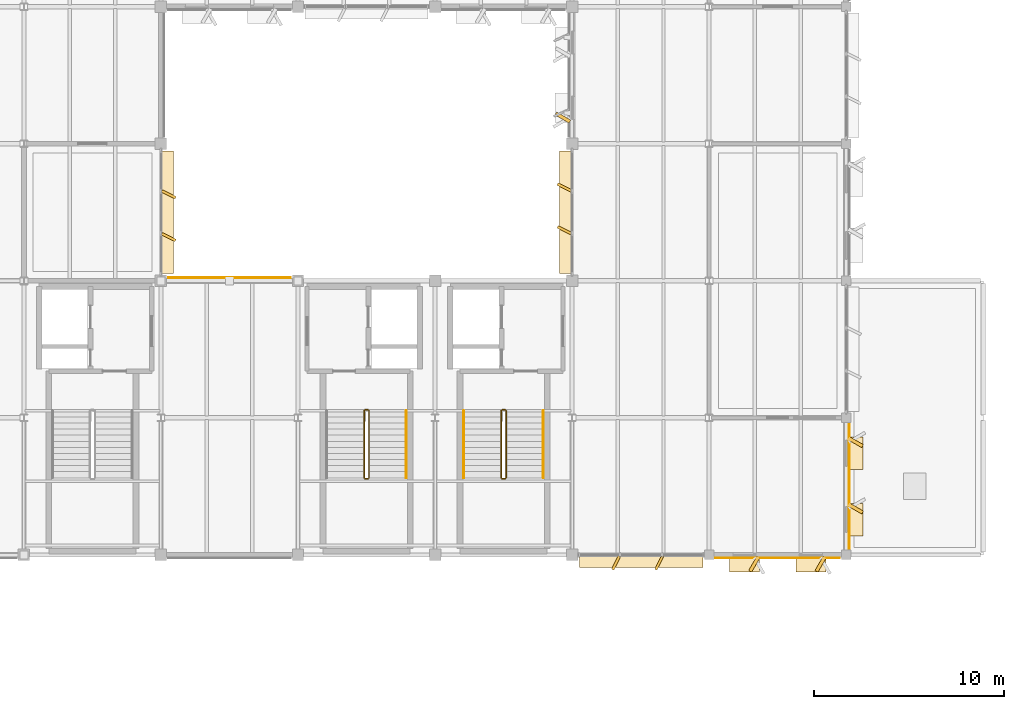
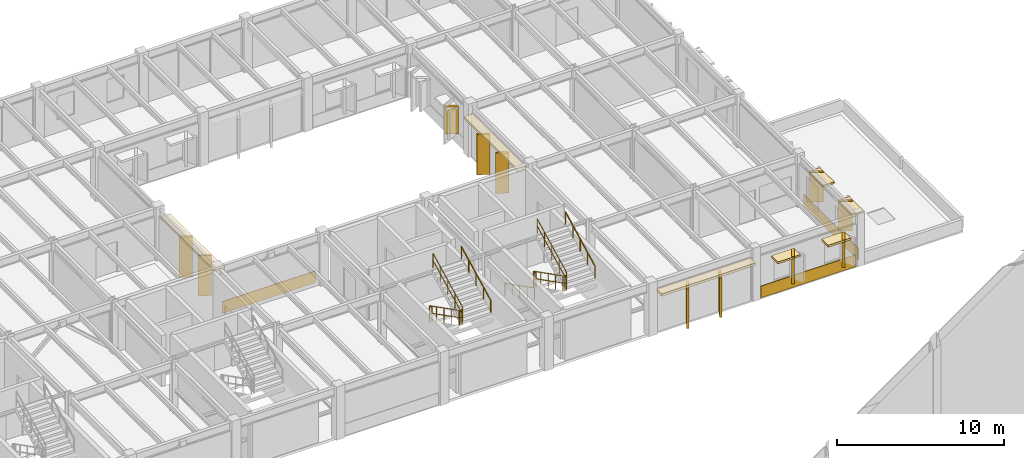
# One storey, part 80 of 82: 21 coverings, 11 railings.
"""IFC4 building model written with IfcOpenShell, lengths in metres."""

from ifc_helpers import new_model, si_unit, direction, frame, frame_2d, origin, origin_2d, place, context, subcontext, project, spatial, rectangle, circle, extrude, material, layer, layer_set, type_object, element, save


model = new_model("IFC4")

# Units and contexts
model_context = context("Model", 3, precision=1e-05, world=origin(), true_north=direction((0.0, 1.0)))
body_context = subcontext(model_context, "Body", "Model", "MODEL_VIEW")
ifc_project = project(units=[si_unit("LENGTHUNIT", "METRE"), si_unit("AREAUNIT", "SQUARE_METRE"), si_unit("VOLUMEUNIT", "CUBIC_METRE"), si_unit("PLANEANGLEUNIT", "RADIAN"), si_unit("MASSUNIT", "GRAM", prefix="KILO")], contexts=[model_context])

# Site, building, storey
site_placement = place(None, origin())
site = spatial("IfcSite", under=ifc_project, at=site_placement, CompositionType="ELEMENT")
building_placement = place(site_placement, origin())
building = spatial("IfcBuilding", under=site, at=building_placement, Name="Sillqori Civic Hall", CompositionType="ELEMENT")
storey_placement = place(building_placement, frame((0.0, 0.0, 14.10009765625)))
storey = spatial("IfcBuildingStorey", under=building, at=storey_placement, Name="L04", CompositionType="ELEMENT", Elevation=14.10009765625)

# Coverings
ifc_material_1 = material(Name="Cochabamba Honed Limestone Cladding", Category="masonry")
ifc_layer_1 = layer(ifc_material_1, 0.044921875)
ifc_layer_set_1 = layer_set([ifc_layer_1], Name="Cochabamba Honed Limestone Cladding")
covering_type = type_object("IfcCoveringType", Name="COV-CLAD-LIME", PredefinedType="CLADDING", material=ifc_layer_set_1)
covering_1_placement = place(storey_placement, frame((72.320068359375, 100.419921875, 3.011962890625), z_axis=(0.0, 0.0, 1.0), x_axis=(0.0, -1.0, 0.0)))
element("IfcCovering", 1, at=covering_1_placement, inside=storey, type_object=covering_type, Name="L04 curtain-wall limestone solar hood L04-09-13-E", PredefinedType="CLADDING", context=body_context, shape_type="SweptSolid", body=[
    extrude(rectangle(XDim=6.43994140625, YDim=0.679931640625, at=frame_2d((3.219970703125, 0.0))), origin(), (0.0, 0.0, 1.0), 0.179931640625),
])
for number, where, z_axis, x_axis, name in (
    (2, (72.050048828125, 98.322021484375, 0.059814453125), (0.0, 0.0, 1.0), (0.894366527193, -0.447334902547, 0.0), "L04 curtain-wall angled stone fin L04-09-13-E.1"),
    (3, (72.050048828125, 96.077880859375, 0.059814453125), (0.0, 0.0, 1.0), (0.894487846579, -0.44709226377, 0.0), "L04 curtain-wall angled stone fin L04-09-13-E.2"),
):
    element("IfcCovering", number, at=place(storey_placement, frame(where, z_axis=z_axis, x_axis=x_axis)), inside=storey, type_object=covering_type, Name=name, PredefinedType="CLADDING", context=body_context, shape_type="SweptSolid", body=[
        extrude(rectangle(XDim=0.804931640625, YDim=0.139892578125, at=frame_2d((0.40234375, 0.0))), origin(), (0.0, 0.0, 1.0), 2.9521484375),
    ])
covering_2_placement = place(storey_placement, frame((72.3798828125, 93.760009765625, 0.039794921875), z_axis=(0.0, 0.0, 1.0), x_axis=(1.0, 0.0, 0.0)))
element("IfcCovering", 4, at=covering_2_placement, inside=storey, type_object=covering_type, Name="L04 limestone spandrel cladding L04-10-12-N", PredefinedType="CLADDING", context=body_context, shape_type="SweptSolid", body=[
    extrude(rectangle(XDim=6.440185546875, YDim=0.044921875, at=frame_2d((3.22021484375, 0.0))), origin(), (0.0, 0.0, 1.0), 0.860107421875),
])
covering_3_placement = place(storey_placement, frame((100.469970703125, 78.8798828125, 2.93798828125), z_axis=(0.0, 0.0, 1.0), x_axis=(-1.0, 0.0, 0.0)))
element("IfcCovering", 5, at=covering_3_placement, inside=storey, type_object=covering_type, Name="L04 curtain-wall limestone solar hood L04-13-11-S", PredefinedType="CLADDING", context=body_context, shape_type="SweptSolid", body=[
    extrude(rectangle(XDim=6.489990234375, YDim=0.679931640625, at=frame_2d((3.2451171875, 0.0))), origin(), (0.0, 0.0, 1.0), 0.179931640625),
])
for number, where, z_axis, x_axis, name in (
    (6, (98.35546875, 79.14990234375, 0.059814453125), (0.0, 0.0, 1.0), (-0.44709226377, -0.894487846579, 0.0), "L04 curtain-wall angled stone fin L04-13-11-S.1"),
    (7, (96.094482421875, 79.14990234375, 0.059814453125), (0.0, 0.0, 1.0), (-0.44709226377, -0.894487846579, 0.0), "L04 curtain-wall angled stone fin L04-13-11-S.2"),
):
    element("IfcCovering", number, at=place(storey_placement, frame(where, z_axis=z_axis, x_axis=x_axis)), inside=storey, type_object=covering_type, Name=name, PredefinedType="CLADDING", context=body_context, shape_type="SweptSolid", body=[
        extrude(rectangle(XDim=0.804931640625, YDim=0.139892578125, at=frame_2d((0.40234375, 0.0))), origin(), (0.0, 0.0, 1.0), 2.878173828125),
    ])
covering_4_placement = place(storey_placement, frame((93.280029296875, 93.97998046875, 3.011962890625), z_axis=(0.0, 0.0, 1.0), x_axis=(0.0, 1.0, 0.0)))
element("IfcCovering", 8, at=covering_4_placement, inside=storey, type_object=covering_type, Name="L04 curtain-wall limestone solar hood L04-13-13-W", PredefinedType="CLADDING", context=body_context, shape_type="SweptSolid", body=[
    extrude(rectangle(XDim=6.43994140625, YDim=0.679931640625, at=frame_2d((3.219970703125, 0.0))), origin(), (0.0, 0.0, 1.0), 0.179931640625),
])
for number, where, z_axis, x_axis, name in (
    (9, (93.550048828125, 96.077880859375, 0.059814453125), (0.0, 0.0, 1.0), (-0.894366527193, 0.447334902547, 0.0), "L04 curtain-wall angled stone fin L04-13-13-W.1"),
    (10, (93.550048828125, 98.322021484375, 0.059814453125), (0.0, 0.0, 1.0), (-0.894487846579, 0.44709226377, 0.0), "L04 curtain-wall angled stone fin L04-13-13-W.2"),
):
    element("IfcCovering", number, at=place(storey_placement, frame(where, z_axis=z_axis, x_axis=x_axis)), inside=storey, type_object=covering_type, Name=name, PredefinedType="CLADDING", context=body_context, shape_type="SweptSolid", body=[
        extrude(rectangle(XDim=0.804931640625, YDim=0.139892578125, at=frame_2d((0.40234375, 0.0))), origin(), (0.0, 0.0, 1.0), 2.9521484375),
    ])
covering_5_placement = place(storey_placement, frame((93.47998046875, 101.964111328125, 0.829833984375), z_axis=(0.0, 0.0, 1.0), x_axis=(-0.866113839764, 0.499846793097, 0.0)))
element("IfcCovering", 11, at=covering_5_placement, inside=storey, type_object=covering_type, Name="Sawtooth limestone angled reveal cheek L04-13-14-W.1", PredefinedType="CLADDING", context=body_context, shape_type="SweptSolid", body=[
    extrude(rectangle(XDim=0.849853515625, YDim=0.179931640625, at=frame_2d((0.4248046875, 0.0))), origin(), (0.0, 0.0, 1.0), 2.0),
])
covering_6_placement = place(storey_placement, frame((107.669921875, 79.0400390625, 0.039794921875), z_axis=(0.0, 0.0, 1.0), x_axis=(-1.0, 0.0, 0.0)))
element("IfcCovering", 12, at=covering_6_placement, inside=storey, type_object=covering_type, Name="L04 limestone spandrel cladding L04-14-11-S", PredefinedType="CLADDING", context=body_context, shape_type="SweptSolid", body=[
    extrude(rectangle(XDim=6.5400390625, YDim=0.044921875, at=frame_2d((3.27001953125, 0.0))), origin(), (0.0, 0.0, 1.0), 0.860107421875),
])
covering_7_placement = place(storey_placement, frame((106.862060546875, 79.080078125, 0.829833984375), z_axis=(0.0, 0.0, 1.0), x_axis=(-0.500062241894, -0.865989465428, 0.0)))
element("IfcCovering", 13, at=covering_7_placement, inside=storey, type_object=covering_type, Name="Sawtooth limestone angled reveal cheek L04-14-11-S.1", PredefinedType="CLADDING", context=body_context, shape_type="SweptSolid", body=[
    extrude(rectangle(XDim=0.85009765625, YDim=0.179931640625, at=frame_2d((0.425048828125, 0.0))), origin(), (0.0, 0.0, 1.0), 2.0),
])
covering_8_placement = place(storey_placement, frame((106.922119140625, 78.699951171875, 2.68994140625), z_axis=(0.0, 0.0, 1.0), x_axis=(-1.0, 0.0, 0.0)))
element("IfcCovering", 14, at=covering_8_placement, inside=storey, type_object=covering_type, Name="Sawtooth limestone window hood L04-14-11-S.1", PredefinedType="CLADDING", context=body_context, shape_type="SweptSolid", body=[
    extrude(rectangle(XDim=1.56005859375, YDim=0.780029296875, at=frame_2d((0.780029296875, 0.0))), origin(), (0.0, 0.0, 1.0), 0.139892578125),
])
covering_9_placement = place(storey_placement, frame((103.3779296875, 79.080078125, 0.829833984375), z_axis=(0.0, 0.0, 1.0), x_axis=(-0.500062241894, -0.865989465428, 0.0)))
element("IfcCovering", 15, at=covering_9_placement, inside=storey, type_object=covering_type, Name="Sawtooth limestone angled reveal cheek L04-14-11-S.2", PredefinedType="CLADDING", context=body_context, shape_type="SweptSolid", body=[
    extrude(rectangle(XDim=0.85009765625, YDim=0.179931640625, at=frame_2d((0.425048828125, 0.0))), origin(), (0.0, 0.0, 1.0), 2.0),
])
covering_10_placement = place(storey_placement, frame((103.43798828125, 78.699951171875, 2.68994140625), z_axis=(0.0, 0.0, 1.0), x_axis=(-1.0, 0.0, 0.0)))
element("IfcCovering", 16, at=covering_10_placement, inside=storey, type_object=covering_type, Name="Sawtooth limestone window hood L04-14-11-S.2", PredefinedType="CLADDING", context=body_context, shape_type="SweptSolid", body=[
    extrude(rectangle(XDim=1.56005859375, YDim=0.780029296875, at=frame_2d((0.780029296875, 0.0))), origin(), (0.0, 0.0, 1.0), 0.139892578125),
])
covering_11_placement = place(storey_placement, frame((108.159912109375, 86.070068359375, 0.039794921875), z_axis=(0.0, 0.0, 1.0), x_axis=(0.0, -1.0, 0.0)))
element("IfcCovering", 17, at=covering_11_placement, inside=storey, type_object=covering_type, Name="L04 limestone spandrel cladding L04-14-11-E", PredefinedType="CLADDING", context=body_context, shape_type="SweptSolid", body=[
    extrude(rectangle(XDim=6.5400390625, YDim=0.044921875, at=frame_2d((3.27001953125, 0.0))), origin(), (0.0, 0.0, 1.0), 0.860107421875),
])
covering_12_placement = place(storey_placement, frame((108.1201171875, 85.3369140625, 0.829833984375), z_axis=(0.0, 0.0, 1.0), x_axis=(0.866113839764, -0.499846793097, 0.0)))
element("IfcCovering", 18, at=covering_12_placement, inside=storey, type_object=covering_type, Name="Sawtooth limestone angled reveal cheek L04-14-11-E.1", PredefinedType="CLADDING", context=body_context, shape_type="SweptSolid", body=[
    extrude(rectangle(XDim=0.849853515625, YDim=0.179931640625, at=frame_2d((0.4248046875, 0.0))), origin(), (0.0, 0.0, 1.0), 2.150146484375),
])
covering_13_placement = place(storey_placement, frame((108.5, 85.39697265625, 2.83984375), z_axis=(0.0, 0.0, 1.0), x_axis=(0.0, -1.0, 0.0)))
element("IfcCovering", 19, at=covering_13_placement, inside=storey, type_object=covering_type, Name="Sawtooth limestone window hood L04-14-11-E.1", PredefinedType="CLADDING", context=body_context, shape_type="SweptSolid", body=[
    extrude(rectangle(XDim=1.7099609375, YDim=0.780029296875, at=frame_2d((0.85498046875, 0.0))), origin(), (0.0, 0.0, 1.0), 0.14013671875),
])
covering_14_placement = place(storey_placement, frame((108.1201171875, 81.85302734375, 0.829833984375), z_axis=(0.0, 0.0, 1.0), x_axis=(0.865989465428, -0.500062241894, 0.0)))
element("IfcCovering", 20, at=covering_14_placement, inside=storey, type_object=covering_type, Name="Sawtooth limestone angled reveal cheek L04-14-11-E.2", PredefinedType="CLADDING", context=body_context, shape_type="SweptSolid", body=[
    extrude(rectangle(XDim=0.85009765625, YDim=0.179931640625, at=frame_2d((0.425048828125, 0.0))), origin(), (0.0, 0.0, 1.0), 2.150146484375),
])
covering_15_placement = place(storey_placement, frame((108.5, 81.9130859375, 2.83984375), z_axis=(0.0, 0.0, 1.0), x_axis=(0.0, -1.0, 0.0)))
element("IfcCovering", 21, at=covering_15_placement, inside=storey, type_object=covering_type, Name="Sawtooth limestone window hood L04-14-11-E.2", PredefinedType="CLADDING", context=body_context, shape_type="SweptSolid", body=[
    extrude(rectangle(XDim=1.710205078125, YDim=0.780029296875, at=frame_2d((0.85498046875, 0.0))), origin(), (0.0, 0.0, 1.0), 0.14013671875),
])

# Railings
ifc_material_2 = material(Name="Brushed Stainless Steel 316 Handrail", Category="steel")
ifc_layer_2 = layer(ifc_material_2, 0.044921875)
ifc_layer_set_2 = layer_set([ifc_layer_2], Name="Brushed Stainless Steel 316 Handrail")
railing_type_1 = type_object("IfcRailingType", Name="RLG-CORE-092", PredefinedType="HANDRAIL", material=ifc_layer_set_2)
railing_1_placement = place(storey_placement, frame((84.889892578125, 83.25, 2.1123046875)))
element("IfcRailing", 22, at=railing_1_placement, inside=storey, type_object=railing_type_1, Name="L04 ST-07 stair handrail 2", PredefinedType="HANDRAIL", context=body_context, shape_type="SweptSolid", body=[
    extrude(circle(Radius=0.02392578125, at=origin_2d()), frame((0.0, 0.0, 0.8759765625), z_axis=(0.0, 0.891614535321, 0.452795230103), x_axis=(-1.0, 0.0, 0.0)), (0.0, 0.0, 1.0), 3.947998046875),
    extrude(circle(Radius=0.02099609375, at=origin_2d()), origin(), (0.0, 0.0, 1.0), 0.851806640625),
    extrude(circle(Radius=0.02099609375, at=origin_2d()), frame((0.0, 0.8798828125, 0.44677734375)), (0.0, 0.0, 1.0), 0.851806640625),
    extrude(circle(Radius=0.02099609375, at=origin_2d()), frame((0.0, 1.760009765625, 0.893798828125)), (0.0, 0.0, 1.0), 0.851806640625),
    extrude(circle(Radius=0.02099609375, at=origin_2d()), frame((0.0, 2.64013671875, 1.3408203125)), (0.0, 0.0, 1.0), 0.851806640625),
    extrude(circle(Radius=0.02099609375, at=origin_2d()), frame((0.0, 3.52001953125, 1.78759765625)), (0.0, 0.0, 1.0), 0.851806640625),
])
railing_2_placement = place(storey_placement, frame((87.909912109375, 86.77001953125, 0.162353515625)))
element("IfcRailing", 23, at=railing_2_placement, inside=storey, type_object=railing_type_1, Name="L04 ST-08 stair handrail 1", PredefinedType="HANDRAIL", context=body_context, shape_type="SweptSolid", body=[
    extrude(circle(Radius=0.02392578125, at=origin_2d()), frame((0.0, 0.0, 0.8759765625), z_axis=(0.0, -0.891614535321, 0.452795230103), x_axis=(1.0, 0.0, 0.0)), (0.0, 0.0, 1.0), 3.947998046875),
    extrude(circle(Radius=0.02099609375, at=origin_2d()), origin(), (0.0, 0.0, 1.0), 0.851806640625),
    extrude(circle(Radius=0.02099609375, at=origin_2d()), frame((0.0, -0.8798828125, 0.44677734375)), (0.0, 0.0, 1.0), 0.851806640625),
    extrude(circle(Radius=0.02099609375, at=origin_2d()), frame((0.0, -1.760009765625, 0.893798828125)), (0.0, 0.0, 1.0), 0.851806640625),
    extrude(circle(Radius=0.02099609375, at=origin_2d()), frame((0.0, -2.64013671875, 1.3408203125)), (0.0, 0.0, 1.0), 0.851806640625),
    extrude(circle(Radius=0.02099609375, at=origin_2d()), frame((0.0, -3.52001953125, 1.78759765625)), (0.0, 0.0, 1.0), 0.851806640625),
])
railing_3_placement = place(storey_placement, frame((92.090087890625, 83.25, 2.1123046875)))
element("IfcRailing", 24, at=railing_3_placement, inside=storey, type_object=railing_type_1, Name="L04 ST-08 stair handrail 2", PredefinedType="HANDRAIL", context=body_context, shape_type="SweptSolid", body=[
    extrude(circle(Radius=0.02392578125, at=origin_2d()), frame((0.0, 0.0, 0.8759765625), z_axis=(0.0, 0.891614535321, 0.452795230103), x_axis=(-1.0, 0.0, 0.0)), (0.0, 0.0, 1.0), 3.947998046875),
    extrude(circle(Radius=0.02099609375, at=origin_2d()), origin(), (0.0, 0.0, 1.0), 0.851806640625),
    extrude(circle(Radius=0.02099609375, at=origin_2d()), frame((0.0, 0.8798828125, 0.44677734375)), (0.0, 0.0, 1.0), 0.851806640625),
    extrude(circle(Radius=0.02099609375, at=origin_2d()), frame((0.0, 1.760009765625, 0.893798828125)), (0.0, 0.0, 1.0), 0.851806640625),
    extrude(circle(Radius=0.02099609375, at=origin_2d()), frame((0.0, 2.64013671875, 1.3408203125)), (0.0, 0.0, 1.0), 0.851806640625),
    extrude(circle(Radius=0.02099609375, at=origin_2d()), frame((0.0, 3.52001953125, 1.78759765625)), (0.0, 0.0, 1.0), 0.851806640625),
])
ifc_material_3 = material(Name="Galvanized Painted Steel Guardrail", Category="steel")
ifc_layer_3 = layer(ifc_material_3, 0.050048828125)
ifc_layer_set_3 = layer_set([ifc_layer_3], Name="Galvanized Painted Steel Guardrail")
railing_type_2 = type_object("IfcRailingType", Name="RLG-CORE-110", PredefinedType="GUARDRAIL", material=ifc_layer_set_3)
railing_4_placement = place(storey_placement, frame((82.669921875, 86.77001953125, 0.162353515625)))
element("IfcRailing", 25, at=railing_4_placement, inside=storey, type_object=railing_type_2, Name="L04 ST-07 stair guard 1", PredefinedType="GUARDRAIL", context=body_context, shape_type="SweptSolid", body=[
    extrude(circle(Radius=0.02392578125, at=origin_2d()), frame((0.0, 0.0, 1.076171875), z_axis=(0.0, -0.891614535321, 0.452795230103), x_axis=(1.0, 0.0, 0.0)), (0.0, 0.0, 1.0), 3.947998046875),
    extrude(circle(Radius=0.02392578125, at=origin_2d()), frame((0.0, 0.0, 0.550048828125), z_axis=(0.0, -0.891614535321, 0.452795230103), x_axis=(1.0, 0.0, 0.0)), (0.0, 0.0, 1.0), 3.947998046875),
    extrude(circle(Radius=0.02099609375, at=origin_2d()), origin(), (0.0, 0.0, 1.0), 1.052001953125),
    extrude(circle(Radius=0.02099609375, at=origin_2d()), frame((0.0, -0.8798828125, 0.44677734375)), (0.0, 0.0, 1.0), 1.052001953125),
    extrude(circle(Radius=0.02099609375, at=origin_2d()), frame((0.0, -1.760009765625, 0.893798828125)), (0.0, 0.0, 1.0), 1.052001953125),
    extrude(circle(Radius=0.02099609375, at=origin_2d()), frame((0.0, -2.64013671875, 1.3408203125)), (0.0, 0.0, 1.0), 1.052001953125),
    extrude(circle(Radius=0.02099609375, at=origin_2d()), frame((0.0, -3.52001953125, 1.78759765625)), (0.0, 0.0, 1.0), 1.052001953125),
])
railing_5_placement = place(storey_placement, frame((82.719970703125, 83.199951171875, 1.949951171875)))
element("IfcRailing", 26, at=railing_5_placement, inside=storey, type_object=railing_type_2, Name="L04 ST-07 stair guard 2", PredefinedType="GUARDRAIL", context=body_context, shape_type="SweptSolid", body=[
    extrude(circle(Radius=0.02392578125, at=origin_2d()), frame((0.0, 0.0, 1.076171875), z_axis=(1.0, 0.0, 0.0), x_axis=(0.0, 1.0, 0.0)), (0.0, 0.0, 1.0), 0.159912109375),
    extrude(circle(Radius=0.02392578125, at=origin_2d()), frame((0.0, 0.0, 0.550048828125), z_axis=(1.0, 0.0, 0.0), x_axis=(0.0, 1.0, 0.0)), (0.0, 0.0, 1.0), 0.159912109375),
    extrude(circle(Radius=0.02099609375, at=origin_2d()), origin(), (0.0, 0.0, 1.0), 1.052001953125),
    extrude(circle(Radius=0.02099609375, at=origin_2d()), frame((0.159912109375, 0.0, 0.0)), (0.0, 0.0, 1.0), 1.052001953125),
])
railing_6_placement = place(storey_placement, frame((82.929931640625, 83.25, 2.1123046875)))
element("IfcRailing", 27, at=railing_6_placement, inside=storey, type_object=railing_type_2, Name="L04 ST-07 stair guard 3", PredefinedType="GUARDRAIL", context=body_context, shape_type="SweptSolid", body=[
    extrude(circle(Radius=0.02392578125, at=origin_2d()), frame((0.0, 0.0, 1.076171875), z_axis=(0.0, 0.891614535321, 0.452795230103), x_axis=(-1.0, 0.0, 0.0)), (0.0, 0.0, 1.0), 3.947998046875),
    extrude(circle(Radius=0.02392578125, at=origin_2d()), frame((0.0, 0.0, 0.550048828125), z_axis=(0.0, 0.891614535321, 0.452795230103), x_axis=(-1.0, 0.0, 0.0)), (0.0, 0.0, 1.0), 3.947998046875),
    extrude(circle(Radius=0.02099609375, at=origin_2d()), origin(), (0.0, 0.0, 1.0), 1.052001953125),
    extrude(circle(Radius=0.02099609375, at=origin_2d()), frame((0.0, 0.8798828125, 0.44677734375)), (0.0, 0.0, 1.0), 1.052001953125),
    extrude(circle(Radius=0.02099609375, at=origin_2d()), frame((0.0, 1.760009765625, 0.893798828125)), (0.0, 0.0, 1.0), 1.052001953125),
    extrude(circle(Radius=0.02099609375, at=origin_2d()), frame((0.0, 2.64013671875, 1.3408203125)), (0.0, 0.0, 1.0), 1.052001953125),
    extrude(circle(Radius=0.02099609375, at=origin_2d()), frame((0.0, 3.52001953125, 1.78759765625)), (0.0, 0.0, 1.0), 1.052001953125),
])
railing_7_placement = place(storey_placement, frame((82.719970703125, 86.820068359375, 0.0)))
element("IfcRailing", 28, at=railing_7_placement, inside=storey, type_object=railing_type_2, Name="L04 ST-07 stair guard 4", PredefinedType="GUARDRAIL", context=body_context, shape_type="SweptSolid", body=[
    extrude(circle(Radius=0.02392578125, at=origin_2d()), frame((0.0, 0.0, 1.076171875), z_axis=(1.0, 0.0, 0.0), x_axis=(0.0, 1.0, 0.0)), (0.0, 0.0, 1.0), 0.159912109375),
    extrude(circle(Radius=0.02392578125, at=origin_2d()), frame((0.0, 0.0, 0.550048828125), z_axis=(1.0, 0.0, 0.0), x_axis=(0.0, 1.0, 0.0)), (0.0, 0.0, 1.0), 0.159912109375),
    extrude(circle(Radius=0.02099609375, at=origin_2d()), origin(), (0.0, 0.0, 1.0), 1.052001953125),
    extrude(circle(Radius=0.02099609375, at=origin_2d()), frame((0.159912109375, 0.0, 0.0)), (0.0, 0.0, 1.0), 1.052001953125),
])
railing_8_placement = place(storey_placement, frame((89.8701171875, 86.77001953125, 0.162353515625)))
element("IfcRailing", 29, at=railing_8_placement, inside=storey, type_object=railing_type_2, Name="L04 ST-08 stair guard 1", PredefinedType="GUARDRAIL", context=body_context, shape_type="SweptSolid", body=[
    extrude(circle(Radius=0.02392578125, at=origin_2d()), frame((0.0, 0.0, 1.076171875), z_axis=(0.0, -0.891614535321, 0.452795230103), x_axis=(1.0, 0.0, 0.0)), (0.0, 0.0, 1.0), 3.947998046875),
    extrude(circle(Radius=0.02392578125, at=origin_2d()), frame((0.0, 0.0, 0.550048828125), z_axis=(0.0, -0.891614535321, 0.452795230103), x_axis=(1.0, 0.0, 0.0)), (0.0, 0.0, 1.0), 3.947998046875),
    extrude(circle(Radius=0.02099609375, at=origin_2d()), origin(), (0.0, 0.0, 1.0), 1.052001953125),
    extrude(circle(Radius=0.02099609375, at=origin_2d()), frame((0.0, -0.8798828125, 0.44677734375)), (0.0, 0.0, 1.0), 1.052001953125),
    extrude(circle(Radius=0.02099609375, at=origin_2d()), frame((0.0, -1.760009765625, 0.893798828125)), (0.0, 0.0, 1.0), 1.052001953125),
    extrude(circle(Radius=0.02099609375, at=origin_2d()), frame((0.0, -2.64013671875, 1.3408203125)), (0.0, 0.0, 1.0), 1.052001953125),
    extrude(circle(Radius=0.02099609375, at=origin_2d()), frame((0.0, -3.52001953125, 1.78759765625)), (0.0, 0.0, 1.0), 1.052001953125),
])
railing_9_placement = place(storey_placement, frame((89.919921875, 83.199951171875, 1.949951171875)))
element("IfcRailing", 30, at=railing_9_placement, inside=storey, type_object=railing_type_2, Name="L04 ST-08 stair guard 2", PredefinedType="GUARDRAIL", context=body_context, shape_type="SweptSolid", body=[
    extrude(circle(Radius=0.02392578125, at=origin_2d()), frame((0.0, 0.0, 1.076171875), z_axis=(1.0, 0.0, 0.0), x_axis=(0.0, 1.0, 0.0)), (0.0, 0.0, 1.0), 0.16015625),
    extrude(circle(Radius=0.02392578125, at=origin_2d()), frame((0.0, 0.0, 0.550048828125), z_axis=(1.0, 0.0, 0.0), x_axis=(0.0, 1.0, 0.0)), (0.0, 0.0, 1.0), 0.16015625),
    extrude(circle(Radius=0.02099609375, at=origin_2d()), origin(), (0.0, 0.0, 1.0), 1.052001953125),
    extrude(circle(Radius=0.02099609375, at=origin_2d()), frame((0.16015625, 0.0, 0.0)), (0.0, 0.0, 1.0), 1.052001953125),
])
railing_10_placement = place(storey_placement, frame((90.1298828125, 83.25, 2.1123046875)))
element("IfcRailing", 31, at=railing_10_placement, inside=storey, type_object=railing_type_2, Name="L04 ST-08 stair guard 3", PredefinedType="GUARDRAIL", context=body_context, shape_type="SweptSolid", body=[
    extrude(circle(Radius=0.02392578125, at=origin_2d()), frame((0.0, 0.0, 1.076171875), z_axis=(0.0, 0.891614535321, 0.452795230103), x_axis=(-1.0, 0.0, 0.0)), (0.0, 0.0, 1.0), 3.947998046875),
    extrude(circle(Radius=0.02392578125, at=origin_2d()), frame((0.0, 0.0, 0.550048828125), z_axis=(0.0, 0.891614535321, 0.452795230103), x_axis=(-1.0, 0.0, 0.0)), (0.0, 0.0, 1.0), 3.947998046875),
    extrude(circle(Radius=0.02099609375, at=origin_2d()), origin(), (0.0, 0.0, 1.0), 1.052001953125),
    extrude(circle(Radius=0.02099609375, at=origin_2d()), frame((0.0, 0.8798828125, 0.44677734375)), (0.0, 0.0, 1.0), 1.052001953125),
    extrude(circle(Radius=0.02099609375, at=origin_2d()), frame((0.0, 1.760009765625, 0.893798828125)), (0.0, 0.0, 1.0), 1.052001953125),
    extrude(circle(Radius=0.02099609375, at=origin_2d()), frame((0.0, 2.64013671875, 1.3408203125)), (0.0, 0.0, 1.0), 1.052001953125),
    extrude(circle(Radius=0.02099609375, at=origin_2d()), frame((0.0, 3.52001953125, 1.78759765625)), (0.0, 0.0, 1.0), 1.052001953125),
])
railing_11_placement = place(storey_placement, frame((89.919921875, 86.820068359375, 0.0)))
element("IfcRailing", 32, at=railing_11_placement, inside=storey, type_object=railing_type_2, Name="L04 ST-08 stair guard 4", PredefinedType="GUARDRAIL", context=body_context, shape_type="SweptSolid", body=[
    extrude(circle(Radius=0.02392578125, at=origin_2d()), frame((0.0, 0.0, 1.076171875), z_axis=(1.0, 0.0, 0.0), x_axis=(0.0, 1.0, 0.0)), (0.0, 0.0, 1.0), 0.16015625),
    extrude(circle(Radius=0.02392578125, at=origin_2d()), frame((0.0, 0.0, 0.550048828125), z_axis=(1.0, 0.0, 0.0), x_axis=(0.0, 1.0, 0.0)), (0.0, 0.0, 1.0), 0.16015625),
    extrude(circle(Radius=0.02099609375, at=origin_2d()), origin(), (0.0, 0.0, 1.0), 1.052001953125),
    extrude(circle(Radius=0.02099609375, at=origin_2d()), frame((0.16015625, 0.0, 0.0)), (0.0, 0.0, 1.0), 1.052001953125),
])

save(model, "model.ifc")
